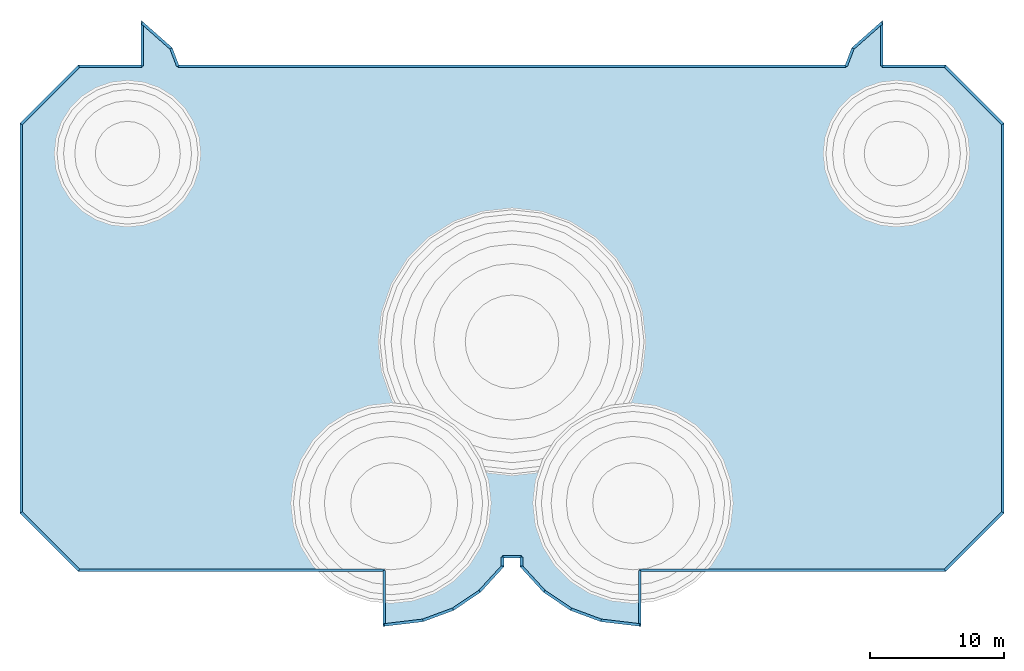
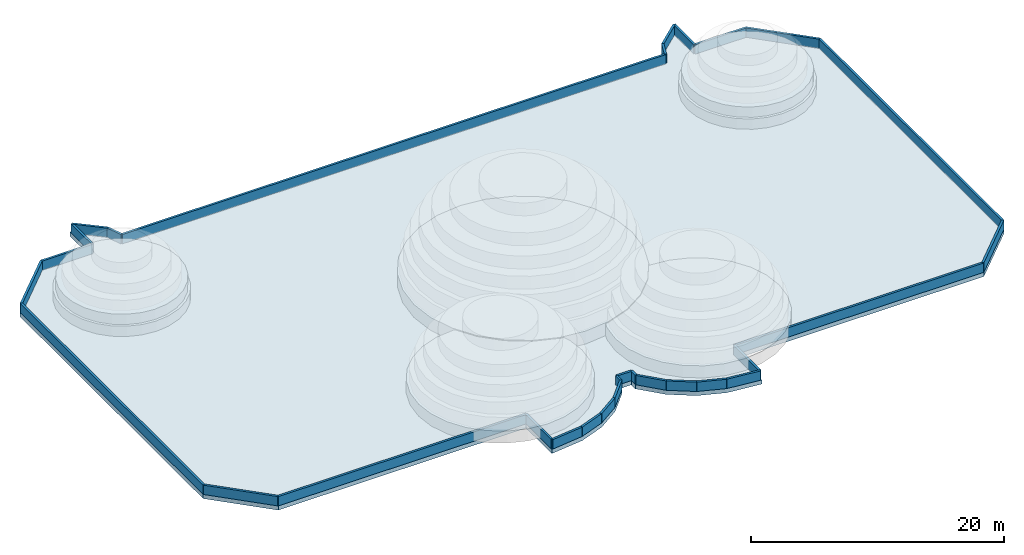
# One storey, part 1 of 3: 30 walls, 1 slab.
"""IFC4 building model written with IfcOpenShell, lengths in metres."""

from ifc_helpers import new_model, si_unit, direction, frame, frame_2d, origin, place, context, subcontext, project, spatial, polyline, rectangle, outline, extrude, source, transform, mapped, material, layer, layer_set, type_object, element, save


model = new_model("IFC4")

# Units and contexts
model_context = context("Model", 3, precision=1e-05, world=origin(), true_north=direction((0.0, 1.0)))
body_context = subcontext(model_context, "Body", "Model", "MODEL_VIEW")
ifc_project = project(units=[si_unit("LENGTHUNIT", "METRE"), si_unit("AREAUNIT", "SQUARE_METRE"), si_unit("VOLUMEUNIT", "CUBIC_METRE"), si_unit("PLANEANGLEUNIT", "RADIAN"), si_unit("MASSUNIT", "GRAM", prefix="KILO")], contexts=[model_context])

# Site, building, storey
site_placement = place(None, origin())
site = spatial("IfcSite", under=ifc_project, at=site_placement, CompositionType="ELEMENT")
building_placement = place(site_placement, origin())
building = spatial("IfcBuilding", under=site, at=building_placement, Name="Vanashikhar Sky Hotel", CompositionType="ELEMENT")
storey_placement = place(building_placement, frame((0.0, 0.0, 339.300048828125)))
storey = spatial("IfcBuildingStorey", under=building, at=storey_placement, Name="ROOF", CompositionType="ELEMENT", Elevation=339.300048828125)

# Slab
ifc_material_1 = material(Name="Concrete M40", Category="concrete")
ifc_layer_1 = layer(ifc_material_1, 0.39990234375)
ifc_layer_set_1 = layer_set([ifc_layer_1], Name="Canopy roof slab 400 mm")
slab_type = type_object("IfcSlabType", Name="Canopy roof slab 400 mm", PredefinedType="ROOF", material=ifc_layer_set_1)
shared_shape_1 = source(origin(), body_context, "Body", "SweptSolid", [
    extrude(outline(polyline([(49.800048828125, 5.266845703125), (48.061279296875, 3.3681640625), (46.05859375, 2.020263671875), (43.7958984375, 1.1806640625), (40.800048828125, 0.824462890625), (40.800048828125, 4.89990234375), (18.151611328125, 4.89990234375), (13.800048828125, 9.25146484375), (13.800048828125, 38.24853515625), (18.151611328125, 42.60009765625), (22.7880859375, 42.60009765625), (22.7880859375, 45.93994140625), (25.12255859375, 43.87939453125), (25.61279296875, 42.60009765625), (75.187255859375, 42.60009765625), (75.677490234375, 43.87939453125), (78.011962890625, 45.93994140625), (78.011962890625, 42.60009765625), (82.6484375, 42.60009765625), (87.0, 38.24853515625), (87.0, 9.25146484375), (82.6484375, 4.89990234375), (60.0, 4.89990234375), (60.0, 0.824462890625), (57.004150390625, 1.1806640625), (54.7412109375, 2.020263671875), (52.73876953125, 3.3681640625), (51.0, 5.266845703125), (51.0, 5.89990234375), (49.800048828125, 5.89990234375), (49.800048828125, 5.266845703125)])), origin(), (0.0, 0.0, 1.0), 0.39990234375),
])
slab_placement = place(storey_placement, origin())
element("IfcSlab", 1, at=slab_placement, inside=storey, type_object=slab_type, Name="Canopy roof slab", PredefinedType="ROOF", context=body_context, shape_type="MappedRepresentation", body=[
    mapped(shared_shape_1, transform((0.0, 0.0, 0.0), scale=1.0)),
])

# Walls
ifc_material_2 = material(Name="Concrete M50", Category="concrete")
ifc_layer_2 = layer(ifc_material_2, 0.199951171875)
ifc_layer_set_2 = layer_set([ifc_layer_2], Name="Parapet 200")
wall_type = type_object("IfcWallType", Name="Parapet 200", PredefinedType="PARAPET", material=ifc_layer_set_2)
shared_shape_2 = source(origin(), body_context, "Body", "SweptSolid", [
    extrude(rectangle(XDim=2.523681640625, YDim=0.199951171875, at=frame_2d((1.26171875, 0.0))), origin(), (0.0, 0.0, 1.0), 0.900146484375),
])
for number, where, z_axis, x_axis, name in (
    (2, (49.699951171875, 5.3056640625, 0.39990234375), (0.0, 0.0, 1.0), (-0.67532151723, -0.737523456147, 0.0), "Canopy parapet"),
    (3, (52.804443359375, 3.4443359375, 0.39990234375), (0.0, 0.0, 1.0), (-0.67532151723, 0.737523456147, 0.0), "Canopy parapet"),
):
    element("IfcWall", number, at=place(storey_placement, frame(where, z_axis=z_axis, x_axis=x_axis)), inside=storey, type_object=wall_type, Name=name, PredefinedType="PARAPET", context=body_context, shape_type="MappedRepresentation", body=[
        mapped(shared_shape_2, transform((0.0, 0.0, 0.0), scale=1.0)),
    ])
shared_shape_3 = source(origin(), body_context, "Body", "SweptSolid", [
    extrude(rectangle(XDim=2.39013671875, YDim=0.199951171875, at=frame_2d((1.195068359375, 0.0))), origin(), (0.0, 0.0, 1.0), 0.900146484375),
])
for number, where, z_axis, x_axis, name in (
    (4, (47.99560546875, 3.4443359375, 0.39990234375), (0.0, 0.0, 1.0), (-0.829622323009, -0.558324996007, 0.0), "Canopy parapet"),
    (5, (54.787353515625, 2.10986328125, 0.39990234375), (0.0, 0.0, 1.0), (-0.829622323009, 0.558324996007, 0.0), "Canopy parapet"),
):
    element("IfcWall", number, at=place(storey_placement, frame(where, z_axis=z_axis, x_axis=x_axis)), inside=storey, type_object=wall_type, Name=name, PredefinedType="PARAPET", context=body_context, shape_type="MappedRepresentation", body=[
        mapped(shared_shape_3, transform((0.0, 0.0, 0.0), scale=1.0)),
    ])
shared_shape_4 = source(origin(), body_context, "Body", "SweptSolid", [
    extrude(rectangle(XDim=2.3896484375, YDim=0.199951171875, at=frame_2d((1.19482421875, 0.0))), origin(), (0.0, 0.0, 1.0), 0.900146484375),
])
for number, where, z_axis, x_axis, name in (
    (6, (46.0126953125, 2.10986328125, 0.39990234375), (0.0, 0.0, 1.0), (-0.937545260897, -0.347863311905, 0.0), "Canopy parapet"),
    (7, (57.02783203125, 1.278564453125, 0.39990234375), (0.0, 0.0, 1.0), (-0.937545260897, 0.347863311905, 0.0), "Canopy parapet"),
):
    element("IfcWall", number, at=place(storey_placement, frame(where, z_axis=z_axis, x_axis=x_axis)), inside=storey, type_object=wall_type, Name=name, PredefinedType="PARAPET", context=body_context, shape_type="MappedRepresentation", body=[
        mapped(shared_shape_4, transform((0.0, 0.0, 0.0), scale=1.0)),
    ])
shared_shape_5 = source(origin(), body_context, "Body", "SweptSolid", [
    extrude(rectangle(XDim=2.892578125, YDim=0.199951171875, at=frame_2d((1.4462890625, 0.0))), origin(), (0.0, 0.0, 1.0), 0.900146484375),
])
wall_1_placement = place(storey_placement, frame((43.772216796875, 1.278564453125, 0.39990234375), z_axis=(0.0, 0.0, 1.0), x_axis=(-0.993004070286, -0.118080127015, 0.0)))
element("IfcWall", 8, at=wall_1_placement, inside=storey, type_object=wall_type, Name="Canopy parapet", PredefinedType="PARAPET", context=body_context, shape_type="MappedRepresentation", body=[
    mapped(shared_shape_5, transform((0.0, 0.0, 0.0), scale=1.0)),
])
shared_shape_6 = source(origin(), body_context, "Body", "SweptSolid", [
    extrude(rectangle(XDim=4.06298828125, YDim=0.199951171875, at=frame_2d((2.031494140625, 0.0))), origin(), (0.0, 0.0, 1.0), 0.900146484375),
])
for number, where, z_axis, x_axis, name in (
    (9, (40.89990234375, 0.93701171875, 0.39990234375), (0.0, 0.0, 1.0), (0.0, 1.0, 0.0), "Canopy parapet"),
    (10, (59.89990234375, 5.0, 0.39990234375), (0.0, 0.0, 1.0), (0.0, -1.0, 0.0), "Canopy parapet"),
):
    element("IfcWall", number, at=place(storey_placement, frame(where, z_axis=z_axis, x_axis=x_axis)), inside=storey, type_object=wall_type, Name=name, PredefinedType="PARAPET", context=body_context, shape_type="MappedRepresentation", body=[
        mapped(shared_shape_6, transform((0.0, 0.0, 0.0), scale=1.0)),
    ])
shared_shape_7 = source(origin(), body_context, "Body", "SweptSolid", [
    extrude(rectangle(XDim=22.70703125, YDim=0.199951171875, at=frame_2d((11.353515625, 0.0))), origin(), (0.0, 0.0, 1.0), 0.900146484375),
])
wall_2_placement = place(storey_placement, frame((40.89990234375, 5.0, 0.39990234375), z_axis=(0.0, 0.0, 1.0), x_axis=(-1.0, 0.0, 0.0)))
element("IfcWall", 11, at=wall_2_placement, inside=storey, type_object=wall_type, Name="Canopy parapet", PredefinedType="PARAPET", context=body_context, shape_type="MappedRepresentation", body=[
    mapped(shared_shape_7, transform((0.0, 0.0, 0.0), scale=1.0)),
])
shared_shape_8 = source(origin(), body_context, "Body", "SweptSolid", [
    extrude(rectangle(XDim=6.0712890625, YDim=0.199951171875, at=frame_2d((3.03564453125, 0.0))), origin(), (0.0, 0.0, 1.0), 0.900146484375),
])
for number, where, z_axis, x_axis, name in (
    (12, (18.19287109375, 5.0, 0.39990234375), (0.0, 0.0, 1.0), (-0.707106781187, 0.707106781187, 0.0), "Canopy parapet"),
    (13, (13.89990234375, 38.20703125, 0.39990234375), (0.0, 0.0, 1.0), (0.707106781187, 0.707106781187, 0.0), "Canopy parapet"),
):
    element("IfcWall", number, at=place(storey_placement, frame(where, z_axis=z_axis, x_axis=x_axis)), inside=storey, type_object=wall_type, Name=name, PredefinedType="PARAPET", context=body_context, shape_type="MappedRepresentation", body=[
        mapped(shared_shape_8, transform((0.0, 0.0, 0.0), scale=1.0)),
    ])
shared_shape_9 = source(origin(), body_context, "Body", "SweptSolid", [
    extrude(rectangle(XDim=28.9140625, YDim=0.199951171875, at=frame_2d((14.45703125, 0.0))), origin(), (0.0, 0.0, 1.0), 0.900146484375),
])
for number, where, z_axis, x_axis, name in (
    (14, (13.89990234375, 9.29296875, 0.39990234375), (0.0, 0.0, 1.0), (0.0, 1.0, 0.0), "Canopy parapet"),
    (15, (86.89990234375, 38.20703125, 0.39990234375), (0.0, 0.0, 1.0), (0.0, -1.0, 0.0), "Canopy parapet"),
):
    element("IfcWall", number, at=place(storey_placement, frame(where, z_axis=z_axis, x_axis=x_axis)), inside=storey, type_object=wall_type, Name=name, PredefinedType="PARAPET", context=body_context, shape_type="MappedRepresentation", body=[
        mapped(shared_shape_9, transform((0.0, 0.0, 0.0), scale=1.0)),
    ])
shared_shape_10 = source(origin(), body_context, "Body", "SweptSolid", [
    extrude(rectangle(XDim=4.695068359375, YDim=0.199951171875, at=frame_2d((2.34765625, 0.0))), origin(), (0.0, 0.0, 1.0), 0.900146484375),
])
for number, where, z_axis, x_axis, name in (
    (16, (18.19287109375, 42.5, 0.39990234375), (0.0, 0.0, 1.0), (1.0, 0.0, 0.0), "Canopy parapet"),
    (17, (77.912109375, 42.5, 0.39990234375), (0.0, 0.0, 1.0), (1.0, 0.0, 0.0), "Canopy parapet"),
):
    element("IfcWall", number, at=place(storey_placement, frame(where, z_axis=z_axis, x_axis=x_axis)), inside=storey, type_object=wall_type, Name=name, PredefinedType="PARAPET", context=body_context, shape_type="MappedRepresentation", body=[
        mapped(shared_shape_10, transform((0.0, 0.0, 0.0), scale=1.0)),
    ])
shared_shape_11 = source(origin(), body_context, "Body", "SweptSolid", [
    extrude(rectangle(XDim=3.21826171875, YDim=0.199951171875, at=frame_2d((1.609130859375, 0.0))), origin(), (0.0, 0.0, 1.0), 0.900146484375),
])
for number, where, z_axis, x_axis, name in (
    (18, (22.887939453125, 42.5, 0.39990234375), (0.0, 0.0, 1.0), (0.0, 1.0, 0.0), "Canopy parapet"),
    (19, (77.912109375, 45.71826171875, 0.39990234375), (0.0, 0.0, 1.0), (0.0, -1.0, 0.0), "Canopy parapet"),
):
    element("IfcWall", number, at=place(storey_placement, frame(where, z_axis=z_axis, x_axis=x_axis)), inside=storey, type_object=wall_type, Name=name, PredefinedType="PARAPET", context=body_context, shape_type="MappedRepresentation", body=[
        mapped(shared_shape_11, transform((0.0, 0.0, 0.0), scale=1.0)),
    ])
shared_shape_12 = source(origin(), body_context, "Body", "SweptSolid", [
    extrude(rectangle(XDim=2.867919921875, YDim=0.199951171875, at=frame_2d((1.43408203125, 0.0))), origin(), (0.0, 0.0, 1.0), 0.900146484375),
])
for number, where, z_axis, x_axis, name in (
    (20, (22.887939453125, 45.71826171875, 0.39990234375), (0.0, 0.0, 1.0), (0.749748411313, -0.661722993203, 0.0), "Canopy parapet"),
    (21, (75.761962890625, 43.820556640625, 0.39990234375), (0.0, 0.0, 1.0), (0.749748411313, 0.661722993203, 0.0), "Canopy parapet"),
):
    element("IfcWall", number, at=place(storey_placement, frame(where, z_axis=z_axis, x_axis=x_axis)), inside=storey, type_object=wall_type, Name=name, PredefinedType="PARAPET", context=body_context, shape_type="MappedRepresentation", body=[
        mapped(shared_shape_12, transform((0.0, 0.0, 0.0), scale=1.0)),
    ])
shared_shape_13 = source(origin(), body_context, "Body", "SweptSolid", [
    extrude(rectangle(XDim=1.4140625, YDim=0.199951171875, at=frame_2d((0.70703125, 0.0))), origin(), (0.0, 0.0, 1.0), 0.900146484375),
])
for number, where, z_axis, x_axis, name in (
    (22, (25.0380859375, 43.820556640625, 0.39990234375), (0.0, 0.0, 1.0), (0.35771774075, -0.93382975855, 0.0), "Canopy parapet"),
    (23, (75.256103515625, 42.5, 0.39990234375), (0.0, 0.0, 1.0), (0.35771774075, 0.93382975855, 0.0), "Canopy parapet"),
):
    element("IfcWall", number, at=place(storey_placement, frame(where, z_axis=z_axis, x_axis=x_axis)), inside=storey, type_object=wall_type, Name=name, PredefinedType="PARAPET", context=body_context, shape_type="MappedRepresentation", body=[
        mapped(shared_shape_13, transform((0.0, 0.0, 0.0), scale=1.0)),
    ])
shared_shape_14 = source(origin(), body_context, "Body", "SweptSolid", [
    extrude(rectangle(XDim=49.712158203125, YDim=0.199951171875, at=frame_2d((24.85595703125, 0.0))), origin(), (0.0, 0.0, 1.0), 0.900146484375),
])
wall_3_placement = place(storey_placement, frame((25.5439453125, 42.5, 0.39990234375), z_axis=(0.0, 0.0, 1.0), x_axis=(1.0, 0.0, 0.0)))
element("IfcWall", 24, at=wall_3_placement, inside=storey, type_object=wall_type, Name="Canopy parapet", PredefinedType="PARAPET", context=body_context, shape_type="MappedRepresentation", body=[
    mapped(shared_shape_14, transform((0.0, 0.0, 0.0), scale=1.0)),
])
shared_shape_15 = source(origin(), body_context, "Body", "SweptSolid", [
    extrude(rectangle(XDim=6.071044921875, YDim=0.199951171875, at=frame_2d((3.03564453125, 0.0))), origin(), (0.0, 0.0, 1.0), 0.900146484375),
])
for number, where, z_axis, x_axis, name in (
    (25, (82.607177734375, 42.5, 0.39990234375), (0.0, 0.0, 1.0), (0.707086673789, -0.707126888012, 0.0), "Canopy parapet"),
    (26, (86.89990234375, 9.29296875, 0.39990234375), (0.0, 0.0, 1.0), (-0.707086673789, -0.707126888012, 0.0), "Canopy parapet"),
):
    element("IfcWall", number, at=place(storey_placement, frame(where, z_axis=z_axis, x_axis=x_axis)), inside=storey, type_object=wall_type, Name=name, PredefinedType="PARAPET", context=body_context, shape_type="MappedRepresentation", body=[
        mapped(shared_shape_15, transform((0.0, 0.0, 0.0), scale=1.0)),
    ])
shared_shape_16 = source(origin(), body_context, "Body", "SweptSolid", [
    extrude(rectangle(XDim=22.707275390625, YDim=0.199951171875, at=frame_2d((11.353515625, 0.0))), origin(), (0.0, 0.0, 1.0), 0.900146484375),
])
wall_4_placement = place(storey_placement, frame((82.607177734375, 5.0, 0.39990234375), z_axis=(0.0, 0.0, 1.0), x_axis=(-1.0, 0.0, 0.0)))
element("IfcWall", 27, at=wall_4_placement, inside=storey, type_object=wall_type, Name="Canopy parapet", PredefinedType="PARAPET", context=body_context, shape_type="MappedRepresentation", body=[
    mapped(shared_shape_16, transform((0.0, 0.0, 0.0), scale=1.0)),
])
shared_shape_17 = source(origin(), body_context, "Body", "SweptSolid", [
    extrude(rectangle(XDim=2.892333984375, YDim=0.199951171875, at=frame_2d((1.4462890625, 0.0))), origin(), (0.0, 0.0, 1.0), 0.900146484375),
])
wall_5_placement = place(storey_placement, frame((59.89990234375, 0.93701171875, 0.39990234375), z_axis=(0.0, 0.0, 1.0), x_axis=(-0.993002893311, 0.118090024459, 0.0)))
element("IfcWall", 28, at=wall_5_placement, inside=storey, type_object=wall_type, Name="Canopy parapet", PredefinedType="PARAPET", context=body_context, shape_type="MappedRepresentation", body=[
    mapped(shared_shape_17, transform((0.0, 0.0, 0.0), scale=1.0)),
])
shared_shape_18 = source(origin(), body_context, "Body", "SweptSolid", [
    extrude(rectangle(XDim=0.6943359375, YDim=0.199951171875, at=frame_2d((0.34716796875, 0.0))), origin(), (0.0, 0.0, 1.0), 0.900146484375),
])
for number, where, z_axis, x_axis, name in (
    (29, (51.10009765625, 5.3056640625, 0.39990234375), (0.0, 0.0, 1.0), (0.0, 1.0, 0.0), "Canopy parapet"),
    (30, (49.699951171875, 6.0, 0.39990234375), (0.0, 0.0, 1.0), (0.0, -1.0, 0.0), "Canopy parapet"),
):
    element("IfcWall", number, at=place(storey_placement, frame(where, z_axis=z_axis, x_axis=x_axis)), inside=storey, type_object=wall_type, Name=name, PredefinedType="PARAPET", context=body_context, shape_type="MappedRepresentation", body=[
        mapped(shared_shape_18, transform((0.0, 0.0, 0.0), scale=1.0)),
    ])
shared_shape_19 = source(origin(), body_context, "Body", "SweptSolid", [
    extrude(rectangle(XDim=1.400146484375, YDim=0.199951171875, at=frame_2d((0.7001953125, 0.0))), origin(), (0.0, 0.0, 1.0), 0.900146484375),
])
wall_6_placement = place(storey_placement, frame((51.10009765625, 6.0, 0.39990234375), z_axis=(0.0, 0.0, 1.0), x_axis=(-1.0, 0.0, 0.0)))
element("IfcWall", 31, at=wall_6_placement, inside=storey, type_object=wall_type, Name="Canopy parapet", PredefinedType="PARAPET", context=body_context, shape_type="MappedRepresentation", body=[
    mapped(shared_shape_19, transform((0.0, 0.0, 0.0), scale=1.0)),
])

save(model, "model.ifc")
